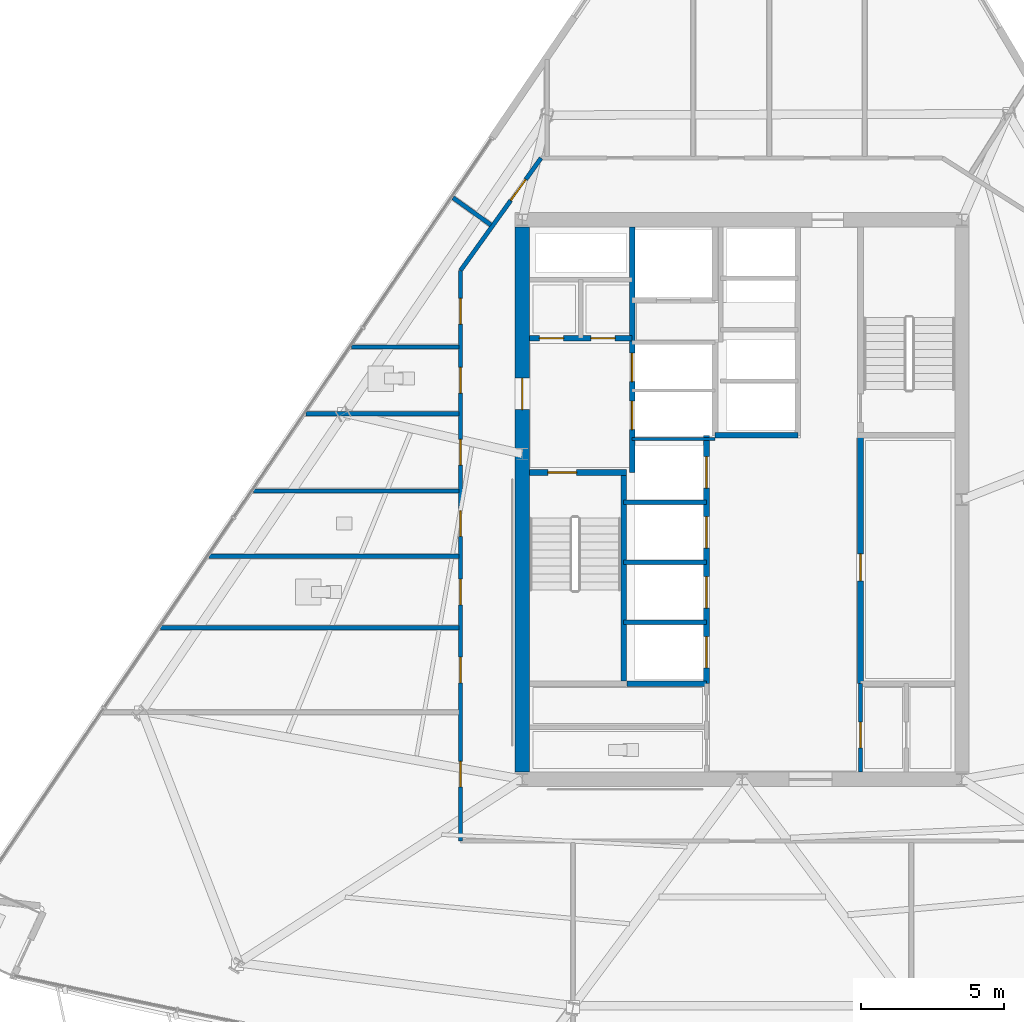
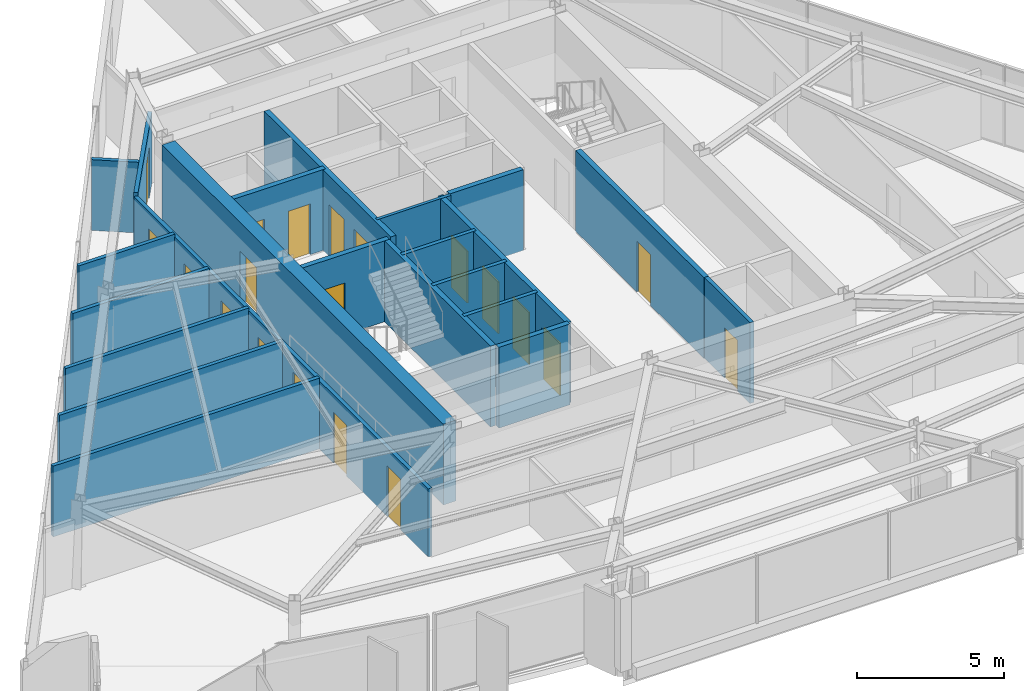
# One storey, part 9 of 16: 22 walls, 20 doors, 20 openings.
"""IFC4 building model written with IfcOpenShell, lengths in metres."""

from ifc_helpers import new_model, si_unit, direction, frame, frame_2d, origin, place, context, subcontext, project, spatial, rectangle, extrude, material, layer, layer_set, type_object, element, fill, save


model = new_model("IFC4")

# Units and contexts
model_context = context("Model", 3, precision=1e-05, world=origin(), true_north=direction((0.0, 1.0)))
body_context = subcontext(model_context, "Body", "Model", "MODEL_VIEW")
ifc_project = project(units=[si_unit("LENGTHUNIT", "METRE"), si_unit("AREAUNIT", "SQUARE_METRE"), si_unit("VOLUMEUNIT", "CUBIC_METRE"), si_unit("PLANEANGLEUNIT", "RADIAN"), si_unit("MASSUNIT", "GRAM", prefix="KILO")], contexts=[model_context])

# Site, building, storey
site_placement = place(None, origin())
site = spatial("IfcSite", under=ifc_project, at=site_placement, CompositionType="ELEMENT")
building_placement = place(site_placement, origin())
building = spatial("IfcBuilding", under=site, at=building_placement, Name="Savorim Split Tower", CompositionType="ELEMENT")
storey_placement = place(building_placement, frame((0.0, 0.0, 160.199951171875)))
storey = spatial("IfcBuildingStorey", under=building, at=storey_placement, Name="L42", CompositionType="ELEMENT", Elevation=160.199951171875)

# Wall, opening, door
ifc_material_1 = material(Name="Concrete C60/75", Category="concrete")
ifc_layer_1 = layer(ifc_material_1, 0.5)
ifc_layer_set_1 = layer_set([ifc_layer_1], Name="WAL-COR-SH500")
wall_type_1 = type_object("IfcWallType", Name="WAL-COR-SH500", PredefinedType="SHEAR", material=ifc_layer_set_1)
wall_1_placement = place(storey_placement, frame((-7.699951171875, -9.14990234375, 0.0), z_axis=(0.0, 0.0, 1.0), x_axis=(0.0, 1.0, 0.0)))
wall_1 = element("IfcWall", 1, at=wall_1_placement, inside=storey, type_object=wall_type_1, Name="L42 Offset Core West Shear Wall", PredefinedType="SHEAR", context=body_context, shape_type="SweptSolid", body=[
    extrude(rectangle(XDim=19.099853515625, YDim=0.5, at=frame_2d((9.5498046875, 0.0))), origin(), (0.0, 0.0, 1.0), 3.35009765625),
])
opening_1_placement = place(wall_1_placement, frame((12.699951171875, 0.0, 0.0)))
opening_1 = element("IfcOpeningElement", 2, at=opening_1_placement, cuts=wall_1, Name="Opening DI-03", PredefinedType="OPENING", context=body_context, shape_type="SweptSolid", body=[
    extrude(rectangle(XDim=1.10009765625, YDim=2.14990234375, at=frame_2d((0.550048828125, 1.074951171875))), frame((0.0, 0.260009765625, 0.0), z_axis=(0.0, -1.0, 0.0), x_axis=(1.0, 0.0, 0.0)), (0.0, 0.0, 1.0), 0.52001953125),
])
ifc_material_2 = material(Name="Timber Fire Door Leaf", Category="wood")
door_type_1 = type_object("IfcDoorType", Name="DOR-FIR-1100", OperationType="NOTDEFINED", PredefinedType="DOOR", material=ifc_material_2)
door_1_placement = place(opening_1_placement, origin())
door_1 = element("IfcDoor", 3, at=door_1_placement, inside=storey, type_object=door_type_1, Name="DOR-L42-COR-FFLOB - L42 Firefighting Lobby Corridor Door", OperationType="SINGLE_SWING_RIGHT", OverallHeight=2.14990234375, OverallWidth=1.10009765625, PredefinedType="DOOR", context=body_context, shape_type="SweptSolid", body=[
    extrude(rectangle(XDim=1.10009765625, YDim=2.14990234375, at=frame_2d((0.550048828125, 1.074951171875))), frame((0.0, 0.02490234375, 0.0), z_axis=(0.0, -1.0, 0.0), x_axis=(1.0, 0.0, 0.0)), (0.0, 0.0, 1.0), 0.050048828125),
])
fill(opening_1, door_1)

ifc_material_3 = material(Name="Concrete C50/60", Category="concrete")
ifc_layer_2 = layer(ifc_material_3, 0.199951171875)
ifc_layer_set_2 = layer_set([ifc_layer_2], Name="WAL-INT-RC200")
wall_type_2 = type_object("IfcWallType", Name="WAL-INT-RC200", PredefinedType="SOLIDWALL", material=ifc_layer_set_2)
wall_2_placement = place(storey_placement, frame((-7.449951171875, 1.35009765625, 0.0), z_axis=(0.0, 0.0, 1.0), x_axis=(1.0, 0.0, 0.0)))
wall_2 = element("IfcWall", 4, at=wall_2_placement, inside=storey, type_object=wall_type_2, Name="L42 Structural Shaft Wall W-L42-CR01", PredefinedType="SOLIDWALL", context=body_context, shape_type="SweptSolid", body=[
    extrude(rectangle(XDim=3.39990234375, YDim=0.199951171875, at=frame_2d((1.699951171875, 0.0))), origin(), (0.0, 0.0, 1.0), 3.35009765625),
])
opening_2_placement = place(wall_2_placement, frame((0.64990234375, 0.0, 0.0)))
opening_2 = element("IfcOpeningElement", 5, at=opening_2_placement, cuts=wall_2, Name="Opening DI-04", PredefinedType="OPENING", context=body_context, shape_type="SweptSolid", body=[
    extrude(rectangle(XDim=1.0, YDim=2.14990234375, at=frame_2d((0.5, 1.074951171875))), frame((0.0, 0.10986328125, 0.0), z_axis=(0.0, -1.0, 0.0), x_axis=(1.0, 0.0, 0.0)), (0.0, 0.0, 1.0), 0.219970703125),
])
door_type_2 = type_object("IfcDoorType", Name="DOR-FIR-1000", OperationType="NOTDEFINED", PredefinedType="DOOR", material=ifc_material_2)
door_2_placement = place(opening_2_placement, origin())
door_2 = element("IfcDoor", 6, at=door_2_placement, inside=storey, type_object=door_type_2, Name="DR-L42-ST1 - L42 Stair ST-1 Enclosure Door", OperationType="SINGLE_SWING_LEFT", OverallHeight=2.14990234375, OverallWidth=1.0, PredefinedType="DOOR", context=body_context, shape_type="SweptSolid", body=[
    extrude(rectangle(XDim=1.0, YDim=2.14990234375, at=frame_2d((0.5, 1.074951171875))), frame((0.0, 0.02490234375, 0.0), z_axis=(0.0, -1.0, 0.0), x_axis=(1.0, 0.0, 0.0)), (0.0, 0.0, 1.0), 0.050048828125),
])
fill(opening_2, door_2)

# Wall
wall_3_placement = place(storey_placement, frame((-4.14990234375, -5.949951171875, 0.0), z_axis=(0.0, 0.0, 1.0), x_axis=(0.0, 1.0, 0.0)))
element("IfcWall", 7, at=wall_3_placement, inside=storey, type_object=wall_type_2, Name="L42 Structural Shaft Wall W-L42-CR02", PredefinedType="SOLIDWALL", context=body_context, shape_type="SweptSolid", body=[
    extrude(rectangle(XDim=7.199951171875, YDim=0.199951171875, at=frame_2d((3.60009765625, 0.0))), origin(), (0.0, 0.0, 1.0), 3.35009765625),
])

# Wall, openings, doors
wall_4_placement = place(storey_placement, frame((-3.85009765625, 1.35009765625, 0.0), z_axis=(0.0, 0.0, 1.0), x_axis=(0.0, 1.0, 0.0)))
wall_4 = element("IfcWall", 8, at=wall_4_placement, inside=storey, type_object=wall_type_2, Name="L42 Partition W-L42-CR03", PredefinedType="SOLIDWALL", context=body_context, shape_type="SweptSolid", body=[
    extrude(rectangle(XDim=8.594970703125, YDim=0.199951171875, at=frame_2d((4.29736328125, 0.0))), origin(), (0.0, 0.0, 1.0), 3.35009765625),
])
opening_3_placement = place(wall_4_placement, frame((1.5, 0.0, 0.0)))
opening_3 = element("IfcOpeningElement", 9, at=opening_3_placement, cuts=wall_4, Name="Opening LD-FFL", PredefinedType="OPENING", context=body_context, shape_type="SweptSolid", body=[
    extrude(rectangle(XDim=1.0, YDim=2.14990234375, at=frame_2d((0.5, 1.074951171875))), frame((0.0, 0.10986328125, 0.0), z_axis=(0.0, -1.0, 0.0), x_axis=(1.0, 0.0, 0.0)), (0.0, 0.0, 1.0), 0.219970703125),
])
opening_4_placement = place(wall_4_placement, frame((3.179931640625, 0.0, 0.0)))
opening_4 = element("IfcOpeningElement", 10, at=opening_4_placement, cuts=wall_4, Name="Opening LD-FFL", PredefinedType="OPENING", context=body_context, shape_type="SweptSolid", body=[
    extrude(rectangle(XDim=1.0, YDim=2.14990234375, at=frame_2d((0.5, 1.074951171875))), frame((0.0, 0.10986328125, 0.0), z_axis=(0.0, -1.0, 0.0), x_axis=(1.0, 0.0, 0.0)), (0.0, 0.0, 1.0), 0.219970703125),
])
ifc_material_4 = material(Name="Charcoal Anodised Aluminium", Category="aluminium")
door_type_3 = type_object("IfcDoorType", Name="DOR-SLD-LD1000", OperationType="NOTDEFINED", PredefinedType="DOOR", material=ifc_material_4)
door_3_placement = place(opening_3_placement, origin())
door_3 = element("IfcDoor", 11, at=door_3_placement, inside=storey, type_object=door_type_3, Name="DR-L42-LD-FFL1 - L42 Firefighting Lift FFL-1 Sliding Landing Door", OperationType="DOUBLE_DOOR_SLIDING", OverallHeight=2.14990234375, OverallWidth=1.0, PredefinedType="DOOR", context=body_context, shape_type="SweptSolid", body=[
    extrude(rectangle(XDim=1.0, YDim=2.14990234375, at=frame_2d((0.5, 1.074951171875))), frame((0.0, 0.02490234375, 0.0), z_axis=(0.0, -1.0, 0.0), x_axis=(1.0, 0.0, 0.0)), (0.0, 0.0, 1.0), 0.050048828125),
])
fill(opening_3, door_3)
door_4_placement = place(opening_4_placement, origin())
door_4 = element("IfcDoor", 12, at=door_4_placement, inside=storey, type_object=door_type_3, Name="DR-L42-LD-FFL2 - L42 Firefighting Lift FFL-2 Sliding Landing Door", OperationType="DOUBLE_DOOR_SLIDING", OverallHeight=2.14990234375, OverallWidth=1.0, PredefinedType="DOOR", context=body_context, shape_type="SweptSolid", body=[
    extrude(rectangle(XDim=1.0, YDim=2.14990234375, at=frame_2d((0.5, 1.074951171875))), frame((0.0, 0.02490234375, 0.0), z_axis=(0.0, -1.0, 0.0), x_axis=(1.0, 0.0, 0.0)), (0.0, 0.0, 1.0), 0.050048828125),
])
fill(opening_4, door_4)

wall_5_placement = place(storey_placement, frame((-7.445068359375, 6.050048828125, 0.0), z_axis=(0.0, 0.0, 1.0), x_axis=(1.0, 0.0, 0.0)))
wall_5 = element("IfcWall", 13, at=wall_5_placement, inside=storey, type_object=wall_type_2, Name="L42 Partition W-L42-CR04", PredefinedType="SOLIDWALL", context=body_context, shape_type="SweptSolid", body=[
    extrude(rectangle(XDim=3.594970703125, YDim=0.199951171875, at=frame_2d((1.79736328125, 0.0))), origin(), (0.0, 0.0, 1.0), 3.35009765625),
])
opening_5_placement = place(wall_5_placement, frame((0.344970703125, 0.0, 0.0)))
opening_5 = element("IfcOpeningElement", 14, at=opening_5_placement, cuts=wall_5, Name="Opening DI-12", PredefinedType="OPENING", context=body_context, shape_type="SweptSolid", body=[
    extrude(rectangle(XDim=0.85009765625, YDim=2.10009765625, at=frame_2d((0.425048828125, 1.050048828125))), frame((0.0, 0.10986328125, 0.0), z_axis=(0.0, -1.0, 0.0), x_axis=(1.0, 0.0, 0.0)), (0.0, 0.0, 1.0), 0.219970703125),
])
opening_6_placement = place(wall_5_placement, frame((2.14501953125, 0.0, 0.0)))
opening_6 = element("IfcOpeningElement", 15, at=opening_6_placement, cuts=wall_5, Name="Opening DI-12", PredefinedType="OPENING", context=body_context, shape_type="SweptSolid", body=[
    extrude(rectangle(XDim=0.85009765625, YDim=2.10009765625, at=frame_2d((0.425048828125, 1.050048828125))), frame((0.0, 0.10986328125, 0.0), z_axis=(0.0, -1.0, 0.0), x_axis=(1.0, 0.0, 0.0)), (0.0, 0.0, 1.0), 0.219970703125),
])
ifc_material_5 = material(Name="Galvanised Painted Steel Balustrade", Category="steel")
door_type_4 = type_object("IfcDoorType", Name="DOR-RIS-850", OperationType="NOTDEFINED", PredefinedType="DOOR", material=ifc_material_5)
door_5_placement = place(opening_5_placement, origin())
door_5 = element("IfcDoor", 16, at=door_5_placement, inside=storey, type_object=door_type_4, Name="DR-L42-ELR - L42 Electrical Riser Access Door", OperationType="SINGLE_SWING_RIGHT", OverallHeight=2.10009765625, OverallWidth=0.85009765625, PredefinedType="DOOR", context=body_context, shape_type="SweptSolid", body=[
    extrude(rectangle(XDim=0.85009765625, YDim=2.10009765625, at=frame_2d((0.425048828125, 1.050048828125))), frame((0.0, 0.02490234375, 0.0), z_axis=(0.0, -1.0, 0.0), x_axis=(1.0, 0.0, 0.0)), (0.0, 0.0, 1.0), 0.050048828125),
])
fill(opening_5, door_5)
door_6_placement = place(opening_6_placement, origin())
door_6 = element("IfcDoor", 17, at=door_6_placement, inside=storey, type_object=door_type_4, Name="DR-L42-TLR - L42 Telecom Riser Access Door", OperationType="SINGLE_SWING_LEFT", OverallHeight=2.10009765625, OverallWidth=0.85009765625, PredefinedType="DOOR", context=body_context, shape_type="SweptSolid", body=[
    extrude(rectangle(XDim=0.85009765625, YDim=2.10009765625, at=frame_2d((0.425048828125, 1.050048828125))), frame((0.0, 0.02490234375, 0.0), z_axis=(0.0, -1.0, 0.0), x_axis=(1.0, 0.0, 0.0)), (0.0, 0.0, 1.0), 0.050048828125),
])
fill(opening_6, door_6)

# Wall, opening, door
wall_6_placement = place(storey_placement, frame((4.14990234375, -6.050048828125, 0.0), z_axis=(0.0, 0.0, 1.0), x_axis=(0.0, 1.0, 0.0)))
wall_6 = element("IfcWall", 18, at=wall_6_placement, inside=storey, type_object=wall_type_2, Name="L42 Partition W-L42-B1FRONT", PredefinedType="SOLIDWALL", context=body_context, shape_type="SweptSolid", body=[
    extrude(rectangle(XDim=8.699951171875, YDim=0.199951171875, at=frame_2d((4.35009765625, 0.0))), origin(), (0.0, 0.0, 1.0), 3.35009765625),
])
opening_7_placement = place(wall_6_placement, frame((3.60009765625, 0.0, 0.0)))
opening_7 = element("IfcOpeningElement", 19, at=opening_7_placement, cuts=wall_6, Name="Opening DI-05", PredefinedType="OPENING", context=body_context, shape_type="SweptSolid", body=[
    extrude(rectangle(XDim=0.949951171875, YDim=2.10009765625, at=frame_2d((0.47509765625, 1.050048828125))), frame((0.0, 0.10986328125, 0.0), z_axis=(0.0, -1.0, 0.0), x_axis=(1.0, 0.0, 0.0)), (0.0, 0.0, 1.0), 0.219970703125),
])
door_type_5 = type_object("IfcDoorType", Name="DOR-FIR-950", OperationType="NOTDEFINED", PredefinedType="DOOR", material=ifc_material_2)
door_7_placement = place(opening_7_placement, origin())
door_7 = element("IfcDoor", 20, at=door_7_placement, inside=storey, type_object=door_type_5, Name="DR-L42-LV7B1 - L42 Shared Pantry and Linen Room Door", OperationType="SINGLE_SWING_RIGHT", OverallHeight=2.10009765625, OverallWidth=0.949951171875, PredefinedType="DOOR", context=body_context, shape_type="SweptSolid", body=[
    extrude(rectangle(XDim=0.949951171875, YDim=2.10009765625, at=frame_2d((0.47509765625, 1.050048828125))), frame((0.0, 0.02490234375, 0.0), z_axis=(0.0, -1.0, 0.0), x_axis=(1.0, 0.0, 0.0)), (0.0, 0.0, 1.0), 0.050048828125),
])
fill(opening_7, door_7)

# Wall, openings, doors
wall_7_placement = place(storey_placement, frame((-1.25, -6.050048828125, 0.0), z_axis=(0.0, 0.0, 1.0), x_axis=(0.0, 1.0, 0.0)))
wall_7 = element("IfcWall", 21, at=wall_7_placement, inside=storey, type_object=wall_type_2, Name="L42 Partition W-L42-B2FRONT", PredefinedType="SOLIDWALL", context=body_context, shape_type="SweptSolid", body=[
    extrude(rectangle(XDim=8.699951171875, YDim=0.199951171875, at=frame_2d((4.35009765625, 0.0))), origin(), (0.0, 0.0, 1.0), 3.35009765625),
])
opening_8_placement = place(wall_7_placement, frame((0.550048828125, 0.0, 0.0)))
opening_8 = element("IfcOpeningElement", 22, at=opening_8_placement, cuts=wall_7, Name="Opening LD-02", PredefinedType="OPENING", context=body_context, shape_type="SweptSolid", body=[
    extrude(rectangle(XDim=1.10009765625, YDim=2.14990234375, at=frame_2d((0.550048828125, 1.074951171875))), frame((0.0, 0.10986328125, 0.0), z_axis=(0.0, -1.0, 0.0), x_axis=(1.0, 0.0, 0.0)), (0.0, 0.0, 1.0), 0.219970703125),
])
opening_9_placement = place(wall_7_placement, frame((2.64990234375, 0.0, 0.0)))
opening_9 = element("IfcOpeningElement", 23, at=opening_9_placement, cuts=wall_7, Name="Opening LD-02", PredefinedType="OPENING", context=body_context, shape_type="SweptSolid", body=[
    extrude(rectangle(XDim=1.10009765625, YDim=2.14990234375, at=frame_2d((0.550048828125, 1.074951171875))), frame((0.0, 0.10986328125, 0.0), z_axis=(0.0, -1.0, 0.0), x_axis=(1.0, 0.0, 0.0)), (0.0, 0.0, 1.0), 0.219970703125),
])
opening_10_placement = place(wall_7_placement, frame((4.75, 0.0, 0.0)))
opening_10 = element("IfcOpeningElement", 24, at=opening_10_placement, cuts=wall_7, Name="Opening LD-02", PredefinedType="OPENING", context=body_context, shape_type="SweptSolid", body=[
    extrude(rectangle(XDim=1.10009765625, YDim=2.14990234375, at=frame_2d((0.550048828125, 1.074951171875))), frame((0.0, 0.10986328125, 0.0), z_axis=(0.0, -1.0, 0.0), x_axis=(1.0, 0.0, 0.0)), (0.0, 0.0, 1.0), 0.219970703125),
])
opening_11_placement = place(wall_7_placement, frame((6.85009765625, 0.0, 0.0)))
opening_11 = element("IfcOpeningElement", 25, at=opening_11_placement, cuts=wall_7, Name="Opening LD-02", PredefinedType="OPENING", context=body_context, shape_type="SweptSolid", body=[
    extrude(rectangle(XDim=1.10009765625, YDim=2.14990234375, at=frame_2d((0.550048828125, 1.074951171875))), frame((0.0, 0.10986328125, 0.0), z_axis=(0.0, -1.0, 0.0), x_axis=(1.0, 0.0, 0.0)), (0.0, 0.0, 1.0), 0.219970703125),
])
door_type_6 = type_object("IfcDoorType", Name="DOR-SLD-LDM1100", OperationType="NOTDEFINED", PredefinedType="DOOR", material=ifc_material_4)
door_8_placement = place(opening_8_placement, origin())
door_8 = element("IfcDoor", 26, at=door_8_placement, inside=storey, type_object=door_type_6, Name="DR-L42-LD-PLM1 - L42 Lift PL-M1 Sliding Landing Door", OperationType="DOUBLE_DOOR_SLIDING", OverallHeight=2.14990234375, OverallWidth=1.10009765625, PredefinedType="DOOR", context=body_context, shape_type="SweptSolid", body=[
    extrude(rectangle(XDim=1.10009765625, YDim=2.14990234375, at=frame_2d((0.550048828125, 1.074951171875))), frame((0.0, 0.02490234375, 0.0), z_axis=(0.0, -1.0, 0.0), x_axis=(1.0, 0.0, 0.0)), (0.0, 0.0, 1.0), 0.050048828125),
])
fill(opening_8, door_8)
door_9_placement = place(opening_9_placement, origin())
door_9 = element("IfcDoor", 27, at=door_9_placement, inside=storey, type_object=door_type_6, Name="DR-L42-LD-PLM2 - L42 Lift PL-M2 Sliding Landing Door", OperationType="DOUBLE_DOOR_SLIDING", OverallHeight=2.14990234375, OverallWidth=1.10009765625, PredefinedType="DOOR", context=body_context, shape_type="SweptSolid", body=[
    extrude(rectangle(XDim=1.10009765625, YDim=2.14990234375, at=frame_2d((0.550048828125, 1.074951171875))), frame((0.0, 0.02490234375, 0.0), z_axis=(0.0, -1.0, 0.0), x_axis=(1.0, 0.0, 0.0)), (0.0, 0.0, 1.0), 0.050048828125),
])
fill(opening_9, door_9)
door_10_placement = place(opening_10_placement, origin())
door_10 = element("IfcDoor", 28, at=door_10_placement, inside=storey, type_object=door_type_6, Name="DR-L42-LD-PLM3 - L42 Lift PL-M3 Sliding Landing Door", OperationType="DOUBLE_DOOR_SLIDING", OverallHeight=2.14990234375, OverallWidth=1.10009765625, PredefinedType="DOOR", context=body_context, shape_type="SweptSolid", body=[
    extrude(rectangle(XDim=1.10009765625, YDim=2.14990234375, at=frame_2d((0.550048828125, 1.074951171875))), frame((0.0, 0.02490234375, 0.0), z_axis=(0.0, -1.0, 0.0), x_axis=(1.0, 0.0, 0.0)), (0.0, 0.0, 1.0), 0.050048828125),
])
fill(opening_10, door_10)
door_11_placement = place(opening_11_placement, origin())
door_11 = element("IfcDoor", 29, at=door_11_placement, inside=storey, type_object=door_type_6, Name="DR-L42-LD-PLM4 - L42 Lift PL-M4 Sliding Landing Door", OperationType="DOUBLE_DOOR_SLIDING", OverallHeight=2.14990234375, OverallWidth=1.10009765625, PredefinedType="DOOR", context=body_context, shape_type="SweptSolid", body=[
    extrude(rectangle(XDim=1.10009765625, YDim=2.14990234375, at=frame_2d((0.550048828125, 1.074951171875))), frame((0.0, 0.02490234375, 0.0), z_axis=(0.0, -1.0, 0.0), x_axis=(1.0, 0.0, 0.0)), (0.0, 0.0, 1.0), 0.050048828125),
])
fill(opening_11, door_11)

# Walls
wall_8_placement = place(storey_placement, frame((-0.949951171875, 2.64990234375, 0.0), z_axis=(0.0, 0.0, 1.0), x_axis=(1.0, 0.0, 0.0)))
element("IfcWall", 30, at=wall_8_placement, inside=storey, type_object=wall_type_2, Name="L42 Partition W-L42-B3SOUTH", PredefinedType="SOLIDWALL", context=body_context, shape_type="SweptSolid", body=[
    extrude(rectangle(XDim=2.89990234375, YDim=0.199951171875, at=frame_2d((1.449951171875, 0.0))), origin(), (0.0, 0.0, 1.0), 3.35009765625),
])
wall_9_placement = place(storey_placement, frame((-4.0400390625, -6.050048828125, 0.0), z_axis=(0.0, 0.0, 1.0), x_axis=(1.0, 0.0, 0.0)))
element("IfcWall", 31, at=wall_9_placement, inside=storey, type_object=wall_type_2, Name="L42 Partition W-L42-KSEP-W2", PredefinedType="SOLIDWALL", context=body_context, shape_type="SweptSolid", body=[
    extrude(rectangle(XDim=2.7900390625, YDim=0.199951171875, at=frame_2d((1.39501953125, 0.0))), origin(), (0.0, 0.0, 1.0), 3.35009765625),
])
ifc_material_6 = material(Name="Acoustic Gypsum Partition Board")
ifc_layer_3 = layer(ifc_material_6, 0.1201171875)
ifc_layer_set_3 = layer_set([ifc_layer_3], Name="WAL-PAR-120")
wall_type_3 = type_object("IfcWallType", Name="WAL-PAR-120", PredefinedType="PARTITIONING", material=ifc_layer_set_3)
wall_10_placement = place(storey_placement, frame((-3.85009765625, 2.52001953125, 0.0), z_axis=(0.0, 0.0, 1.0), x_axis=(1.0, 0.0, 0.0)))
element("IfcWall", 32, at=wall_10_placement, inside=storey, type_object=wall_type_3, Name="L42 Partition W-L42-FFLD0", PredefinedType="PARTITIONING", context=body_context, shape_type="SweptSolid", body=[
    extrude(rectangle(XDim=2.900146484375, YDim=0.1201171875, at=frame_2d((1.4501953125, 0.0))), origin(), (0.0, 0.0, 1.0), 3.35009765625),
])
ifc_layer_4 = layer(ifc_material_6, 0.14990234375)
ifc_layer_set_4 = layer_set([ifc_layer_4], Name="WAL-PAR-150")
wall_type_4 = type_object("IfcWallType", Name="WAL-PAR-150", PredefinedType="PARTITIONING", material=ifc_layer_set_4)
for number, where, z_axis, x_axis, name in (
    (33, (-4.14990234375, -3.89990234375, 0.0), (0.0, 0.0, 1.0), (1.0, 0.0, 0.0), "L42 Partition W-L42-B2DIV1"),
    (34, (-4.14990234375, -1.800048828125, 0.0), (0.0, 0.0, 1.0), (1.0, 0.0, 0.0), "L42 Partition W-L42-B2DIV2"),
    (35, (-4.14990234375, 0.300048828125, 0.0), (0.0, 0.0, 1.0), (1.0, 0.0, 0.0), "L42 Partition W-L42-B2DIV3"),
):
    element("IfcWall", number, at=place(storey_placement, frame(where, z_axis=z_axis, x_axis=x_axis)), inside=storey, type_object=wall_type_4, Name=name, PredefinedType="PARTITIONING", context=body_context, shape_type="SweptSolid", body=[
        extrude(rectangle(XDim=2.89990234375, YDim=0.14990234375, at=frame_2d((1.449951171875, 0.0))), origin(), (0.0, 0.0, 1.0), 3.35009765625),
    ])

# Wall, opening, door
wall_11_placement = place(storey_placement, frame((4.14990234375, -9.14501953125, 0.0), z_axis=(0.0, 0.0, 1.0), x_axis=(0.0, 1.0, 0.0)))
wall_11 = element("IfcWall", 36, at=wall_11_placement, inside=storey, type_object=wall_type_4, Name="L42 Partition W-L42-KLOB-E", PredefinedType="PARTITIONING", context=body_context, shape_type="SweptSolid", body=[
    extrude(rectangle(XDim=3.094970703125, YDim=0.14990234375, at=frame_2d((1.54736328125, 0.0))), origin(), (0.0, 0.0, 1.0), 3.35009765625),
])
opening_12_placement = place(wall_11_placement, frame((0.844970703125, 0.0, 0.0)))
opening_12 = element("IfcOpeningElement", 37, at=opening_12_placement, cuts=wall_11, Name="Opening DI-06", PredefinedType="OPENING", context=body_context, shape_type="SweptSolid", body=[
    extrude(rectangle(XDim=0.89990234375, YDim=2.10009765625, at=frame_2d((0.449951171875, 1.050048828125))), frame((0.0, 0.0849609375, 0.0), z_axis=(0.0, -1.0, 0.0), x_axis=(1.0, 0.0, 0.0)), (0.0, 0.0, 1.0), 0.169921875),
])
door_type_7 = type_object("IfcDoorType", Name="DOR-FIR-900", OperationType="NOTDEFINED", PredefinedType="DOOR", material=ifc_material_2)
door_12_placement = place(opening_12_placement, origin())
door_12 = element("IfcDoor", 38, at=door_12_placement, inside=storey, type_object=door_type_7, Name="DR-L42-K2PAN - L42 Vending Pantry Door", OperationType="SINGLE_SWING_LEFT", OverallHeight=2.10009765625, OverallWidth=0.89990234375, PredefinedType="DOOR", context=body_context, shape_type="SweptSolid", body=[
    extrude(rectangle(XDim=0.89990234375, YDim=2.10009765625, at=frame_2d((0.449951171875, 1.050048828125))), frame((0.0, 0.02490234375, 0.0), z_axis=(0.0, -1.0, 0.0), x_axis=(1.0, 0.0, 0.0)), (0.0, 0.0, 1.0), 0.050048828125),
])
fill(opening_12, door_12)

# Wall, openings, doors
wall_12_placement = place(storey_placement, frame((-9.860107421875, -11.56005859375, 0.0), z_axis=(0.0, 0.0, 1.0), x_axis=(0.0, 1.0, 0.0)))
wall_12 = element("IfcWall", 39, at=wall_12_placement, inside=storey, type_object=wall_type_4, Name="L42 Partition W-L42-COR-01", PredefinedType="PARTITIONING", context=body_context, shape_type="SweptSolid", body=[
    extrude(rectangle(XDim=19.98583984375, YDim=0.14990234375, at=frame_2d((9.992919921875, 0.0))), origin(), (0.0, 0.0, 1.0), 2.824951171875),
])
opening_13_placement = place(wall_12_placement, frame((10.6669921875, 0.0, 0.0)))
opening_13 = element("IfcOpeningElement", 40, at=opening_13_placement, cuts=wall_12, Name="Opening DI-06", PredefinedType="OPENING", context=body_context, shape_type="SweptSolid", body=[
    extrude(rectangle(XDim=0.89990234375, YDim=2.10009765625, at=frame_2d((0.449951171875, 1.050048828125))), frame((0.0, 0.0849609375, 0.0), z_axis=(0.0, -1.0, 0.0), x_axis=(1.0, 0.0, 0.0)), (0.0, 0.0, 1.0), 0.169921875),
])
opening_14_placement = place(wall_12_placement, frame((8.272216796875, 0.0, 0.0)))
opening_14 = element("IfcOpeningElement", 41, at=opening_14_placement, cuts=wall_12, Name="Opening DI-11", PredefinedType="OPENING", context=body_context, shape_type="SweptSolid", body=[
    extrude(rectangle(XDim=0.89990234375, YDim=2.10009765625, at=frame_2d((0.449951171875, 1.050048828125))), frame((0.0, 0.0849609375, 0.0), z_axis=(0.0, -1.0, 0.0), x_axis=(1.0, 0.0, 0.0)), (0.0, 0.0, 1.0), 0.169921875),
])
opening_15_placement = place(wall_12_placement, frame((5.540283203125, 0.0, 0.0)))
opening_15 = element("IfcOpeningElement", 42, at=opening_15_placement, cuts=wall_12, Name="Opening DI-06", PredefinedType="OPENING", context=body_context, shape_type="SweptSolid", body=[
    extrude(rectangle(XDim=0.89990234375, YDim=2.10009765625, at=frame_2d((0.449951171875, 1.050048828125))), frame((0.0, 0.0849609375, 0.0), z_axis=(0.0, -1.0, 0.0), x_axis=(1.0, 0.0, 0.0)), (0.0, 0.0, 1.0), 0.169921875),
])
opening_16_placement = place(wall_12_placement, frame((1.892822265625, 0.0, 0.0)))
opening_16 = element("IfcOpeningElement", 43, at=opening_16_placement, cuts=wall_12, Name="Opening DI-06", PredefinedType="OPENING", context=body_context, shape_type="SweptSolid", body=[
    extrude(rectangle(XDim=0.89990234375, YDim=2.10009765625, at=frame_2d((0.449951171875, 1.050048828125))), frame((0.0, 0.0849609375, 0.0), z_axis=(0.0, -1.0, 0.0), x_axis=(1.0, 0.0, 0.0)), (0.0, 0.0, 1.0), 0.169921875),
])
opening_17_placement = place(wall_12_placement, frame((18.105712890625, 0.0, 0.0)))
opening_17 = element("IfcOpeningElement", 44, at=opening_17_placement, cuts=wall_12, Name="Opening DI-06", PredefinedType="OPENING", context=body_context, shape_type="SweptSolid", body=[
    extrude(rectangle(XDim=0.89990234375, YDim=2.10009765625, at=frame_2d((0.449951171875, 1.050048828125))), frame((0.0, 0.0849609375, 0.0), z_axis=(0.0, -1.0, 0.0), x_axis=(1.0, 0.0, 0.0)), (0.0, 0.0, 1.0), 0.169921875),
])
opening_18_placement = place(wall_12_placement, frame((15.685791015625, 0.0, 0.0)))
opening_18 = element("IfcOpeningElement", 45, at=opening_18_placement, cuts=wall_12, Name="Opening DI-11", PredefinedType="OPENING", context=body_context, shape_type="SweptSolid", body=[
    extrude(rectangle(XDim=0.89990234375, YDim=2.10009765625, at=frame_2d((0.449951171875, 1.050048828125))), frame((0.0, 0.0849609375, 0.0), z_axis=(0.0, -1.0, 0.0), x_axis=(1.0, 0.0, 0.0)), (0.0, 0.0, 1.0), 0.169921875),
])
opening_19_placement = place(wall_12_placement, frame((13.164794921875, 0.0, 0.0)))
opening_19 = element("IfcOpeningElement", 46, at=opening_19_placement, cuts=wall_12, Name="Opening DI-06", PredefinedType="OPENING", context=body_context, shape_type="SweptSolid", body=[
    extrude(rectangle(XDim=0.89990234375, YDim=2.10009765625, at=frame_2d((0.449951171875, 1.050048828125))), frame((0.0, 0.0849609375, 0.0), z_axis=(0.0, -1.0, 0.0), x_axis=(1.0, 0.0, 0.0)), (0.0, 0.0, 1.0), 0.169921875),
])
door_13_placement = place(opening_13_placement, origin())
door_13 = element("IfcDoor", 47, at=door_13_placement, inside=storey, type_object=door_type_7, Name="DR-L42-RM01 - L42 Shared Kitchen Entry Door", OperationType="SINGLE_SWING_RIGHT", OverallHeight=2.10009765625, OverallWidth=0.89990234375, PredefinedType="DOOR", context=body_context, shape_type="SweptSolid", body=[
    extrude(rectangle(XDim=0.89990234375, YDim=2.10009765625, at=frame_2d((0.449951171875, 1.050048828125))), frame((0.0, 0.02490234375, 0.0), z_axis=(0.0, -1.0, 0.0), x_axis=(1.0, 0.0, 0.0)), (0.0, 0.0, 1.0), 0.050048828125),
])
fill(opening_13, door_13)
door_14_placement = place(opening_15_placement, origin())
door_14 = element("IfcDoor", 48, at=door_14_placement, inside=storey, type_object=door_type_7, Name="DR-L42-RM03 - L42 Maker Workshop Entry Door", OperationType="SINGLE_SWING_RIGHT", OverallHeight=2.10009765625, OverallWidth=0.89990234375, PredefinedType="DOOR", context=body_context, shape_type="SweptSolid", body=[
    extrude(rectangle(XDim=0.89990234375, YDim=2.10009765625, at=frame_2d((0.449951171875, 1.050048828125))), frame((0.0, 0.02490234375, 0.0), z_axis=(0.0, -1.0, 0.0), x_axis=(1.0, 0.0, 0.0)), (0.0, 0.0, 1.0), 0.050048828125),
])
fill(opening_15, door_14)
door_15_placement = place(opening_16_placement, origin())
door_15 = element("IfcDoor", 49, at=door_15_placement, inside=storey, type_object=door_type_7, Name="DR-L42-RM04 - L42 Co-Working Commons Entry Door", OperationType="SINGLE_SWING_LEFT", OverallHeight=2.10009765625, OverallWidth=0.89990234375, PredefinedType="DOOR", context=body_context, shape_type="SweptSolid", body=[
    extrude(rectangle(XDim=0.89990234375, YDim=2.10009765625, at=frame_2d((0.449951171875, 1.050048828125))), frame((0.0, 0.02490234375, 0.0), z_axis=(0.0, -1.0, 0.0), x_axis=(1.0, 0.0, 0.0)), (0.0, 0.0, 1.0), 0.050048828125),
])
fill(opening_16, door_15)
door_16_placement = place(opening_17_placement, origin())
door_16 = element("IfcDoor", 50, at=door_16_placement, inside=storey, type_object=door_type_7, Name="DR-L42-RM15 - L42 Co-Living Bedroom Entry Door", OperationType="SINGLE_SWING_RIGHT", OverallHeight=2.10009765625, OverallWidth=0.89990234375, PredefinedType="DOOR", context=body_context, shape_type="SweptSolid", body=[
    extrude(rectangle(XDim=0.89990234375, YDim=2.10009765625, at=frame_2d((0.449951171875, 1.050048828125))), frame((0.0, 0.02490234375, 0.0), z_axis=(0.0, -1.0, 0.0), x_axis=(1.0, 0.0, 0.0)), (0.0, 0.0, 1.0), 0.050048828125),
])
fill(opening_17, door_16)
door_17_placement = place(opening_19_placement, origin())
door_17 = element("IfcDoor", 51, at=door_17_placement, inside=storey, type_object=door_type_7, Name="DR-L42-RM17 - L42 Quiet Study Room Entry Door", OperationType="SINGLE_SWING_RIGHT", OverallHeight=2.10009765625, OverallWidth=0.89990234375, PredefinedType="DOOR", context=body_context, shape_type="SweptSolid", body=[
    extrude(rectangle(XDim=0.89990234375, YDim=2.10009765625, at=frame_2d((0.449951171875, 1.050048828125))), frame((0.0, 0.02490234375, 0.0), z_axis=(0.0, -1.0, 0.0), x_axis=(1.0, 0.0, 0.0)), (0.0, 0.0, 1.0), 0.050048828125),
])
fill(opening_19, door_17)
ifc_material_7 = material(Name="Oak Veneer Acoustic Door")
door_type_8 = type_object("IfcDoorType", Name="DOR-WC-900", OperationType="NOTDEFINED", PredefinedType="DOOR", material=ifc_material_7)
door_18_placement = place(opening_14_placement, origin())
door_18 = element("IfcDoor", 52, at=door_18_placement, inside=storey, type_object=door_type_8, Name="DR-L42-RM02 - L42 Shared Bathroom Entry Door", OperationType="SINGLE_SWING_LEFT", OverallHeight=2.10009765625, OverallWidth=0.89990234375, PredefinedType="DOOR", context=body_context, shape_type="SweptSolid", body=[
    extrude(rectangle(XDim=0.89990234375, YDim=2.10009765625, at=frame_2d((0.449951171875, 1.050048828125))), frame((0.0, 0.02490234375, 0.0), z_axis=(0.0, -1.0, 0.0), x_axis=(1.0, 0.0, 0.0)), (0.0, 0.0, 1.0), 0.050048828125),
])
fill(opening_14, door_18)
door_19_placement = place(opening_18_placement, origin())
door_19 = element("IfcDoor", 53, at=door_19_placement, inside=storey, type_object=door_type_8, Name="DR-L42-RM16 - L42 Shared Bathroom Entry Door", OperationType="SINGLE_SWING_LEFT", OverallHeight=2.10009765625, OverallWidth=0.89990234375, PredefinedType="DOOR", context=body_context, shape_type="SweptSolid", body=[
    extrude(rectangle(XDim=0.89990234375, YDim=2.10009765625, at=frame_2d((0.449951171875, 1.050048828125))), frame((0.0, 0.02490234375, 0.0), z_axis=(0.0, -1.0, 0.0), x_axis=(1.0, 0.0, 0.0)), (0.0, 0.0, 1.0), 0.050048828125),
])
fill(opening_18, door_19)

# Wall, opening, door
wall_13_placement = place(storey_placement, frame((-9.860107421875, 8.42578125, 0.0), z_axis=(0.0, 0.0, 1.0), x_axis=(0.582449511476, 0.812866881218, 0.0)))
wall_13 = element("IfcWall", 54, at=wall_13_placement, inside=storey, type_object=wall_type_4, Name="L42 Partition W-L42-COR-02", PredefinedType="PARTITIONING", context=body_context, shape_type="SweptSolid", body=[
    extrude(rectangle(XDim=4.840087890625, YDim=0.14990234375, at=frame_2d((2.419921875, 0.0))), origin(), (0.0, 0.0, 1.0), 2.965087890625),
])
opening_20_placement = place(wall_13_placement, frame((3.017333984375, 0.0, 0.0)))
opening_20 = element("IfcOpeningElement", 55, at=opening_20_placement, cuts=wall_13, Name="Opening DI-06", PredefinedType="OPENING", context=body_context, shape_type="SweptSolid", body=[
    extrude(rectangle(XDim=0.89990234375, YDim=2.10009765625, at=frame_2d((0.449951171875, 1.050048828125))), frame((0.0, 0.0849609375, 0.0), z_axis=(0.0, -1.0, 0.0), x_axis=(1.0, 0.0, 0.0)), (0.0, 0.0, 1.0), 0.169921875),
])
door_20_placement = place(opening_20_placement, origin())
door_20 = element("IfcDoor", 56, at=door_20_placement, inside=storey, type_object=door_type_7, Name="DR-L42-RM14 - L42 Quiet Study Room Entry Door", OperationType="SINGLE_SWING_LEFT", OverallHeight=2.10009765625, OverallWidth=0.89990234375, PredefinedType="DOOR", context=body_context, shape_type="SweptSolid", body=[
    extrude(rectangle(XDim=0.89990234375, YDim=2.10009765625, at=frame_2d((0.449951171875, 1.050048828125))), frame((0.0, 0.02490234375, 0.0), z_axis=(0.0, -1.0, 0.0), x_axis=(1.0, 0.0, 0.0)), (0.0, 0.0, 1.0), 0.050048828125),
])
fill(opening_20, door_20)

# Walls
wall_14_placement = place(storey_placement, frame((-9.919921875, 3.407470703125, 0.0), z_axis=(0.0, 0.0, 1.0), x_axis=(-1.0, 0.0, 0.0)))
element("IfcWall", 57, at=wall_14_placement, inside=storey, type_object=wall_type_4, Name="L42 Partition W-L42-PRAD09", PredefinedType="PARTITIONING", context=body_context, shape_type="SweptSolid", body=[
    extrude(rectangle(XDim=5.350830078125, YDim=0.14990234375, at=frame_2d((2.67529296875, 0.0))), origin(), (0.0, 0.0, 1.0), 2.93505859375),
])
wall_15_placement = place(storey_placement, frame((-9.919921875, -1.588623046875, 0.0), z_axis=(0.0, 0.0, 1.0), x_axis=(-1.0, 0.0, 0.0)))
element("IfcWall", 58, at=wall_15_placement, inside=storey, type_object=wall_type_4, Name="L42 Partition W-L42-SUB01", PredefinedType="PARTITIONING", context=body_context, shape_type="SweptSolid", body=[
    extrude(rectangle(XDim=8.74951171875, YDim=0.14990234375, at=frame_2d((4.374755859375, 0.0))), origin(), (0.0, 0.0, 1.0), 2.93505859375),
])
wall_16_placement = place(storey_placement, frame((-8.79443359375, 10.015869140625, 0.0), z_axis=(0.0, 0.0, 1.0), x_axis=(-0.812917074644, 0.582379455125, 0.0)))
element("IfcWall", 59, at=wall_16_placement, inside=storey, type_object=wall_type_4, Name="L42 Partition W-L42-SUB03", PredefinedType="PARTITIONING", context=body_context, shape_type="SweptSolid", body=[
    extrude(rectangle(XDim=1.63818359375, YDim=0.14990234375, at=frame_2d((0.819091796875, 0.0))), origin(), (0.0, 0.0, 1.0), 2.93505859375),
])
wall_17_placement = place(storey_placement, frame((-9.919921875, -4.086669921875, 0.0), z_axis=(0.0, 0.0, 1.0), x_axis=(-1.0, 0.0, 0.0)))
element("IfcWall", 60, at=wall_17_placement, inside=storey, type_object=wall_type_4, Name="L42 Partition W-L42-SUB04", PredefinedType="PARTITIONING", context=body_context, shape_type="SweptSolid", body=[
    extrude(rectangle(XDim=10.448974609375, YDim=0.14990234375, at=frame_2d((5.224609375, 0.0))), origin(), (0.0, 0.0, 1.0), 2.93505859375),
])
wall_18_placement = place(storey_placement, frame((-9.919921875, 5.744140625, 0.0), z_axis=(0.0, 0.0, 1.0), x_axis=(-1.0, 0.0, 0.0)))
element("IfcWall", 61, at=wall_18_placement, inside=storey, type_object=wall_type_4, Name="L42 Partition W-L42-SUB08", PredefinedType="PARTITIONING", context=body_context, shape_type="SweptSolid", body=[
    extrude(rectangle(XDim=3.760986328125, YDim=0.14990234375, at=frame_2d((1.88037109375, 0.0))), origin(), (0.0, 0.0, 1.0), 2.93505859375),
])
wall_19_placement = place(storey_placement, frame((-9.919921875, 0.702392578125, 0.0), z_axis=(0.0, 0.0, 1.0), x_axis=(-1.0, 0.0, 0.0)))
element("IfcWall", 62, at=wall_19_placement, inside=storey, type_object=wall_type_4, Name="L42 Partition W-L42-SUB09", PredefinedType="PARTITIONING", context=body_context, shape_type="SweptSolid", body=[
    extrude(rectangle(XDim=7.19091796875, YDim=0.14990234375, at=frame_2d((3.595458984375, 0.0))), origin(), (0.0, 0.0, 1.0), 2.93505859375),
])

save(model, "model.ifc")
